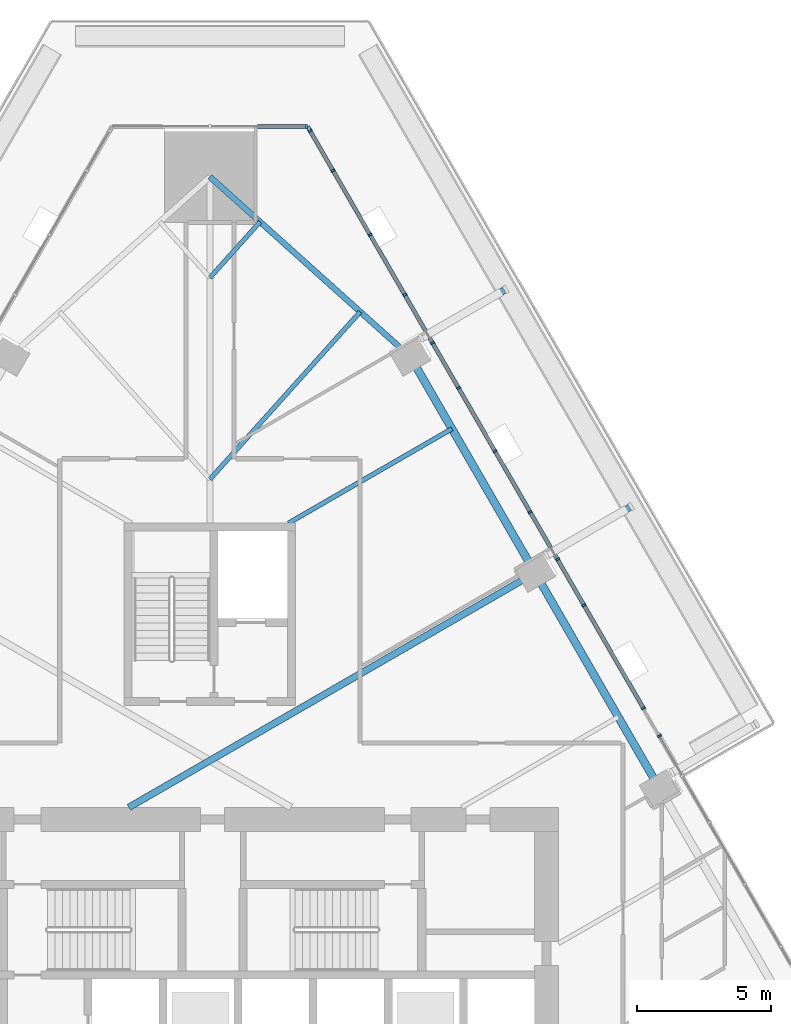
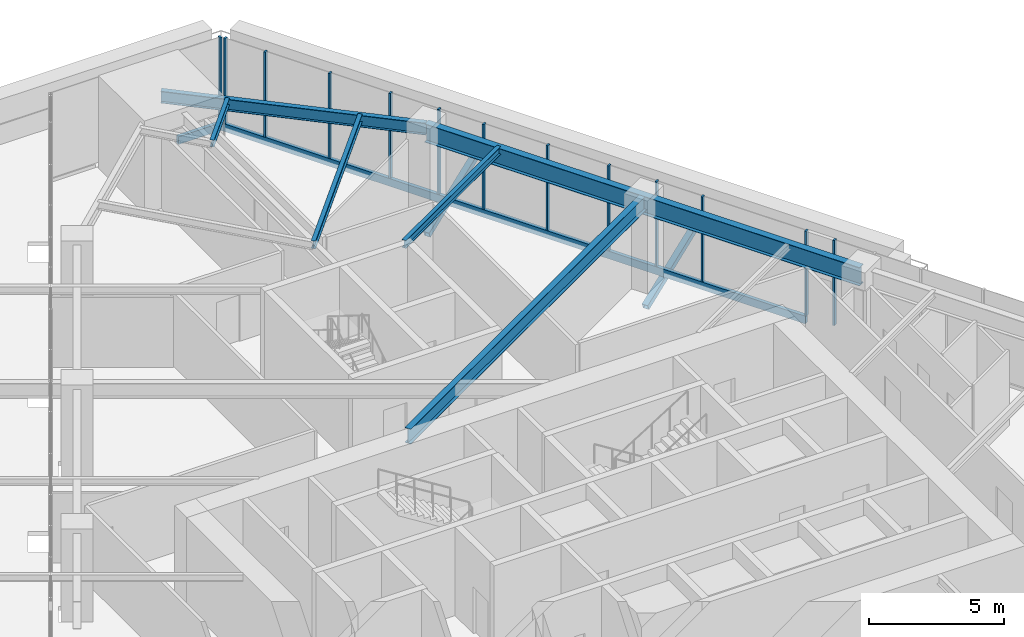
# One storey, part 9 of 26: 17 members, 6 beams, 2 elements without a shape of their own.
"""IFC4 building model written with IfcOpenShell, lengths in metres."""

from ifc_helpers import new_model, si_unit, direction, frame, origin, origin_2d, place, context, subcontext, project, spatial, rectangle, hollow_rectangle, i_section, extrude, material, layer, layer_set, material_profile, profile_set, type_object, element, aggregate, save


model = new_model("IFC4")

# Units and contexts
model_context = context("Model", 3, precision=1e-05, world=origin(), true_north=direction((0.0, 1.0)))
body_context = subcontext(model_context, "Body", "Model", "MODEL_VIEW")
ifc_project = project(units=[si_unit("LENGTHUNIT", "METRE"), si_unit("AREAUNIT", "SQUARE_METRE"), si_unit("VOLUMEUNIT", "CUBIC_METRE"), si_unit("PLANEANGLEUNIT", "RADIAN"), si_unit("MASSUNIT", "GRAM", prefix="KILO")], contexts=[model_context])

# Site, building, storey
site_placement = place(None, origin())
site = spatial("IfcSite", under=ifc_project, at=site_placement, CompositionType="ELEMENT")
building_placement = place(site_placement, origin())
building = spatial("IfcBuilding", under=site, at=building_placement, Name="Firuza Gate Tower and Library", CompositionType="ELEMENT")
storey_placement = place(building_placement, frame((0.0, 0.0, 115.60009765625)))
storey = spatial("IfcBuildingStorey", under=building, at=storey_placement, Name="L26", CompositionType="ELEMENT", Elevation=115.60009765625)

# Curtain wall, members
ifc_material_1 = material(Name="Aluminium 6063-T6", Category="aluminium")
ifc_layer_1 = layer(ifc_material_1, 0.14990234375)
ifc_layer_set_1 = layer_set([ifc_layer_1], Name="Unitised curtain wall, offices")
curtain_wall_type_1 = type_object("IfcCurtainWallType", Name="Unitised curtain wall, offices", PredefinedType="NOTDEFINED", material=ifc_layer_set_1)
placement = place(storey_placement, origin())
curtain_wall_1 = element("IfcCurtainWall", 1, at=placement, inside=storey, type_object=curtain_wall_type_1, Name="CW1 L26 E face", PredefinedType="NOTDEFINED")
ifc_material_2 = material(Name="Aluminium 6063-T6", Category="aluminium")
ifc_material_profile_1 = material_profile(ifc_material_2, rectangle(XDim=0.14990234375, YDim=0.080078125, at=origin_2d()))
ifc_profile_set_1 = profile_set([ifc_material_profile_1], Name="Aluminium 6063-T6")
member_type_1 = type_object("IfcMemberType", Name="Curtain wall mullion 80x150", PredefinedType="MULLION", material=ifc_profile_set_1)
member_1_placement = place(storey_placement, frame((91.762451171875, 86.663818359375, 0.14990234375), z_axis=(0.0, 0.0, 1.0), x_axis=(-0.866025403784, -0.5, 0.0)))
member_1 = element("IfcMember", 2, at=member_1_placement, type_object=member_type_1, Name="Mullion", PredefinedType="MULLION", context=body_context, shape_type="SweptSolid", body=[
    extrude(rectangle(XDim=0.14990234375, YDim=0.080078125, at=origin_2d()), origin(), (0.0, 0.0, 1.0), 3.85009765625),
])
member_2_placement = place(storey_placement, frame((91.16259765625, 87.703125, 0.14990234375), z_axis=(0.0, 0.0, 1.0), x_axis=(-0.866025403784, -0.5, 0.0)))
member_2 = element("IfcMember", 3, at=member_2_placement, type_object=member_type_1, Name="Mullion", PredefinedType="MULLION", context=body_context, shape_type="SweptSolid", body=[
    extrude(rectangle(XDim=0.14990234375, YDim=0.080078125, at=origin_2d()), origin(), (0.0, 0.0, 1.0), 3.85009765625),
])
member_3_placement = place(storey_placement, frame((87.962890625, 93.245361328125, 0.14990234375), z_axis=(0.0, 0.0, 1.0), x_axis=(-0.866025403784, -0.5, 0.0)))
member_3 = element("IfcMember", 4, at=member_3_placement, type_object=member_type_1, Name="Mullion", PredefinedType="MULLION", context=body_context, shape_type="SweptSolid", body=[
    extrude(rectangle(XDim=0.14990234375, YDim=0.080078125, at=origin_2d()), origin(), (0.0, 0.0, 1.0), 3.85009765625),
])
member_4_placement = place(storey_placement, frame((85.6328125, 97.28076171875, 0.14990234375), z_axis=(0.0, 0.0, 1.0), x_axis=(-0.866025403784, -0.5, 0.0)))
member_4 = element("IfcMember", 5, at=member_4_placement, type_object=member_type_1, Name="Mullion", PredefinedType="MULLION", context=body_context, shape_type="SweptSolid", body=[
    extrude(rectangle(XDim=0.14990234375, YDim=0.080078125, at=origin_2d()), origin(), (0.0, 0.0, 1.0), 3.85009765625),
])
member_5_placement = place(storey_placement, frame((83.302978515625, 101.316162109375, 0.14990234375), z_axis=(0.0, 0.0, 1.0), x_axis=(-0.866025403784, -0.5, 0.0)))
member_5 = element("IfcMember", 6, at=member_5_placement, type_object=member_type_1, Name="Mullion", PredefinedType="MULLION", context=body_context, shape_type="SweptSolid", body=[
    extrude(rectangle(XDim=0.14990234375, YDim=0.080078125, at=origin_2d()), origin(), (0.0, 0.0, 1.0), 3.85009765625),
])
member_6_placement = place(storey_placement, frame((80.97314453125, 105.3515625, 0.14990234375), z_axis=(0.0, 0.0, 1.0), x_axis=(-0.866025403784, -0.5, 0.0)))
member_6 = element("IfcMember", 7, at=member_6_placement, type_object=member_type_1, Name="Mullion", PredefinedType="MULLION", context=body_context, shape_type="SweptSolid", body=[
    extrude(rectangle(XDim=0.14990234375, YDim=0.080078125, at=origin_2d()), origin(), (0.0, 0.0, 1.0), 3.85009765625),
])
member_7_placement = place(storey_placement, frame((88.947509765625, 91.53955078125, 0.14990234375), z_axis=(0.0, 0.0, 1.0), x_axis=(-0.866025403784, -0.5, 0.0)))
member_7 = element("IfcMember", 8, at=member_7_placement, type_object=member_type_1, Name="Mullion", PredefinedType="MULLION", context=body_context, shape_type="SweptSolid", body=[
    extrude(rectangle(XDim=0.14990234375, YDim=0.080078125, at=origin_2d()), origin(), (0.0, 0.0, 1.0), 3.85009765625),
])
member_8_placement = place(storey_placement, frame((86.943359375, 95.01123046875, 0.14990234375), z_axis=(0.0, 0.0, 1.0), x_axis=(-0.866025403784, -0.5, 0.0)))
member_8 = element("IfcMember", 9, at=member_8_placement, type_object=member_type_1, Name="Mullion", PredefinedType="MULLION", context=body_context, shape_type="SweptSolid", body=[
    extrude(rectangle(XDim=0.14990234375, YDim=0.080078125, at=origin_2d()), origin(), (0.0, 0.0, 1.0), 3.85009765625),
])
member_9_placement = place(storey_placement, frame((84.2705078125, 99.640625, 0.14990234375), z_axis=(0.0, 0.0, 1.0), x_axis=(-0.866025403784, -0.5, 0.0)))
member_9 = element("IfcMember", 10, at=member_9_placement, type_object=member_type_1, Name="Mullion", PredefinedType="MULLION", context=body_context, shape_type="SweptSolid", body=[
    extrude(rectangle(XDim=0.14990234375, YDim=0.080078125, at=origin_2d()), origin(), (0.0, 0.0, 1.0), 3.85009765625),
])
member_10_placement = place(storey_placement, frame((82.26611328125, 103.112060546875, 0.14990234375), z_axis=(0.0, 0.0, 1.0), x_axis=(-0.866025403784, -0.5, 0.0)))
member_10 = element("IfcMember", 11, at=member_10_placement, type_object=member_type_1, Name="Mullion", PredefinedType="MULLION", context=body_context, shape_type="SweptSolid", body=[
    extrude(rectangle(XDim=0.14990234375, YDim=0.080078125, at=origin_2d()), origin(), (0.0, 0.0, 1.0), 3.85009765625),
])
member_11_placement = place(storey_placement, frame((79.59326171875, 107.741455078125, 0.14990234375), z_axis=(0.0, 0.0, 1.0), x_axis=(-0.866025403784, -0.5, 0.0)))
member_11 = element("IfcMember", 12, at=member_11_placement, type_object=member_type_1, Name="Mullion", PredefinedType="MULLION", context=body_context, shape_type="SweptSolid", body=[
    extrude(rectangle(XDim=0.14990234375, YDim=0.080078125, at=origin_2d()), origin(), (0.0, 0.0, 1.0), 3.85009765625),
])
member_12_placement = place(storey_placement, frame((78.735107421875, 109.22802734375, 0.14990234375), z_axis=(0.0, 0.0, 1.0), x_axis=(-0.866025403784, -0.5, 0.0)))
member_12 = element("IfcMember", 13, at=member_12_placement, type_object=member_type_1, Name="Mullion", PredefinedType="MULLION", context=body_context, shape_type="SweptSolid", body=[
    extrude(rectangle(XDim=0.14990234375, YDim=0.080078125, at=origin_2d()), origin(), (0.0, 0.0, 1.0), 3.85009765625),
])

# Curtain wall, member
ifc_material_3 = material(Name="Aluminium 6063-T6", Category="aluminium")
ifc_layer_2 = layer(ifc_material_3, 0.14990234375)
ifc_layer_set_2 = layer_set([ifc_layer_2], Name="Corner curtain wall, chamfers")
curtain_wall_type_2 = type_object("IfcCurtainWallType", Name="Corner curtain wall, chamfers", PredefinedType="NOTDEFINED", material=ifc_layer_set_2)
curtain_wall_2 = element("IfcCurtainWall", 14, at=placement, inside=storey, type_object=curtain_wall_type_2, Name="CW4 L26 N corner", PredefinedType="NOTDEFINED")
member_13_placement = place(storey_placement, frame((78.603271484375, 109.38720703125, 0.14990234375), z_axis=(0.0, 0.0, 1.0), x_axis=(0.0, -1.0, 0.0)))
member_13 = element("IfcMember", 15, at=member_13_placement, type_object=member_type_1, Name="Mullion", PredefinedType="MULLION", context=body_context, shape_type="SweptSolid", body=[
    extrude(rectangle(XDim=0.14990234375, YDim=0.080078125, at=origin_2d()), origin(), (0.0, 0.0, 1.0), 3.85009765625),
])

# Member
ifc_material_4 = material(Name="Aluminium 6063-T6", Category="aluminium")
ifc_material_profile_2 = material_profile(ifc_material_4, rectangle(XDim=0.14990234375, YDim=0.35009765625, at=origin_2d()))
ifc_profile_set_2 = profile_set([ifc_material_profile_2], Name="Aluminium 6063-T6")
member_type_2 = type_object("IfcMemberType", Name="Curtain wall transom 350x150", PredefinedType="USERDEFINED", material=ifc_profile_set_2)
member_14_placement = place(storey_placement, frame((91.16259765625, 87.703125, -0.025146484375), z_axis=(-0.499999296431, 0.86602580999, 0.0), x_axis=(-0.86602580999, -0.499999296431, 0.0)))
member_14 = element("IfcMember", 16, at=member_14_placement, type_object=member_type_2, Name="Transom", ObjectType="TRANSOM", PredefinedType="USERDEFINED", context=body_context, shape_type="SweptSolid", body=[
    extrude(rectangle(XDim=0.14990234375, YDim=0.35009765625, at=origin_2d()), origin(), (0.0, 0.0, 1.0), 25.03857421875),
])

aggregate(curtain_wall_1, [member_1, member_2, member_3, member_4, member_5, member_6, member_14, member_7, member_8, member_9, member_10, member_11, member_12])

member_15_placement = place(storey_placement, frame((78.643310546875, 109.38720703125, -0.025146484375), z_axis=(-1.0, 0.0, 0.0), x_axis=(0.0, -1.0, 0.0)))
member_15 = element("IfcMember", 17, at=member_15_placement, type_object=member_type_2, Name="Transom", ObjectType="TRANSOM", PredefinedType="USERDEFINED", context=body_context, shape_type="SweptSolid", body=[
    extrude(rectangle(XDim=0.14990234375, YDim=0.35009765625, at=origin_2d()), origin(), (0.0, 0.0, 1.0), 1.863525390625),
])

aggregate(curtain_wall_2, [member_13, member_15])

# Members
ifc_material_5 = material(Name="Steel S355", Category="steel")
ifc_material_profile_3 = material_profile(ifc_material_5, hollow_rectangle(XDim=0.25390625, YDim=0.25390625, WallThickness=0.01171875, at=origin_2d()))
ifc_profile_set_3 = profile_set([ifc_material_profile_3], Name="Steel S355")
member_type_3 = type_object("IfcMemberType", Name="HSS254x254x13 Tray strut", PredefinedType="BRACE", material=ifc_profile_set_3)
for number, where, z_axis, x_axis, name in (
    (18, (87.57470703125, 93.40771484375, -1.670166015625), (0.807122458648, 0.466007352202, 0.362478253747), (-0.500012057535, 0.866018442252, 0.0), "Tray strut L26 col:L25:E4"),
    (19, (82.897705078125, 101.5087890625, -1.670166015625), (0.807122458648, 0.466007352202, 0.362478253747), (-0.500012057535, 0.866018442252, 0.0), "Tray strut L26 col:L25:E5"),
):
    element("IfcMember", number, at=place(storey_placement, frame(where, z_axis=z_axis, x_axis=x_axis)), inside=storey, type_object=member_type_3, Name=name, PredefinedType="BRACE", context=body_context, shape_type="SweptSolid", body=[
        extrude(hollow_rectangle(XDim=0.25390625, YDim=0.25390625, WallThickness=0.01171875, at=origin_2d()), origin(), (0.0, 0.0, 1.0), 3.86279296875),
    ])

# Beams
ifc_material_6 = material(Name="Steel S355", Category="steel")
ifc_material_profile_4 = material_profile(ifc_material_6, i_section(OverallWidth=0.1650390625, OverallDepth=0.31005859375, WebThickness=0.005859375, FlangeThickness=0.009765625, at=origin_2d()))
ifc_profile_set_4 = profile_set([ifc_material_profile_4], Name="Steel S355")
beam_type_1 = type_object("IfcBeamType", Name="W310x39 Floor beam", PredefinedType="JOIST", material=ifc_profile_set_4)
beam_1_placement = place(storey_placement, frame((76.8681640625, 105.8349609375, 3.844970703125), z_axis=(-0.667975448269, -0.744183311094, 0.0), x_axis=(0.744183311094, -0.667975448269, 0.0)))
element("IfcBeam", 20, at=beam_1_placement, inside=storey, type_object=beam_type_1, Name="Floor beam L26 s61", PredefinedType="JOIST", context=body_context, shape_type="SweptSolid", body=[
    extrude(i_section(OverallWidth=0.1650390625, OverallDepth=0.31005859375, WebThickness=0.005859375, FlangeThickness=0.009765625, at=origin_2d()), origin(), (0.0, 0.0, 1.0), 2.796875),
])
ifc_material_7 = material(Name="Steel S355", Category="steel")
ifc_material_profile_5 = material_profile(ifc_material_7, i_section(OverallWidth=0.1708984375, OverallDepth=0.35498046875, WebThickness=0.007080078125, FlangeThickness=0.01171875, at=origin_2d()))
ifc_profile_set_5 = profile_set([ifc_material_profile_5], Name="Steel S355")
beam_type_2 = type_object("IfcBeamType", Name="W360x51 Floor beam", PredefinedType="JOIST", material=ifc_profile_set_5)
beam_2_placement = place(storey_placement, frame((84.02392578125, 98.11767578125, 3.822509765625), z_axis=(-0.866022037233, -0.500005830994, 0.0), x_axis=(0.500005830994, -0.866022037233, 0.0)))
element("IfcBeam", 21, at=beam_2_placement, inside=storey, type_object=beam_type_2, Name="Floor beam L26 s55", PredefinedType="JOIST", context=body_context, shape_type="SweptSolid", body=[
    extrude(i_section(OverallWidth=0.1708984375, OverallDepth=0.35498046875, WebThickness=0.007080078125, FlangeThickness=0.01171875, at=origin_2d()), origin(), (0.0, 0.0, 1.0), 7.03515625),
])
beam_3_placement = place(storey_placement, frame((80.604736328125, 102.480712890625, 3.822509765625), z_axis=(-0.668006027086, -0.744155862556, 0.0), x_axis=(0.744155862556, -0.668006027086, 0.0)))
element("IfcBeam", 22, at=beam_3_placement, inside=storey, type_object=beam_type_2, Name="Floor beam L26 s60", PredefinedType="JOIST", context=body_context, shape_type="SweptSolid", body=[
    extrude(i_section(OverallWidth=0.1708984375, OverallDepth=0.35498046875, WebThickness=0.007080078125, FlangeThickness=0.01171875, at=origin_2d()), origin(), (0.0, 0.0, 1.0), 8.39013671875),
])
ifc_material_8 = material(Name="Steel S355", Category="steel")
ifc_material_profile_6 = material_profile(ifc_material_8, i_section(OverallWidth=0.212890625, OverallDepth=0.5390625, WebThickness=0.01171875, FlangeThickness=0.018798828125, at=origin_2d()))
ifc_profile_set_6 = profile_set([ifc_material_profile_6], Name="Steel S355")
beam_type_3 = type_object("IfcBeamType", Name="W530x109 Edge beam", PredefinedType="SPANDREL", material=ifc_profile_set_6)
beam_4_placement = place(storey_placement, frame((82.47314453125, 100.8037109375, 3.73046875), z_axis=(-0.744151797704, 0.668010555286, 0.0), x_axis=(-0.668010555286, -0.744151797704, 0.0)))
element("IfcBeam", 23, at=beam_4_placement, inside=storey, type_object=beam_type_3, Name="Edge beam L26 e60", PredefinedType="SPANDREL", context=body_context, shape_type="SweptSolid", body=[
    extrude(i_section(OverallWidth=0.212890625, OverallDepth=0.5390625, WebThickness=0.01171875, FlangeThickness=0.018798828125, at=origin_2d()), origin(), (0.0, 0.0, 1.0), 10.04248046875),
])
ifc_material_9 = material(Name="Steel S355", Category="steel")
ifc_material_profile_7 = material_profile(ifc_material_9, i_section(OverallWidth=0.2529296875, OverallDepth=0.677978515625, WebThickness=0.01171875, FlangeThickness=0.016357421875, at=origin_2d()))
ifc_profile_set_7 = profile_set([ifc_material_profile_7], Name="Steel S355")
beam_type_4 = type_object("IfcBeamType", Name="W690x125 Floor beam", PredefinedType="JOIST", material=ifc_profile_set_7)
beam_5_placement = place(storey_placement, frame((87.125732421875, 92.745361328125, 3.660888671875), z_axis=(-0.86602612969, -0.499998742693, 0.0), x_axis=(0.499998742693, -0.86602612969, 0.0)))
element("IfcBeam", 24, at=beam_5_placement, inside=storey, type_object=beam_type_4, Name="Floor beam L26 s54", PredefinedType="JOIST", context=body_context, shape_type="SweptSolid", body=[
    extrude(i_section(OverallWidth=0.2529296875, OverallDepth=0.677978515625, WebThickness=0.01171875, FlangeThickness=0.016357421875, at=origin_2d()), origin(), (0.0, 0.0, 1.0), 17.49072265625),
])
ifc_material_10 = material(Name="Steel S355", Category="steel")
ifc_material_profile_8 = material_profile(ifc_material_10, i_section(OverallWidth=0.2919921875, OverallDepth=0.8349609375, WebThickness=0.013916015625, FlangeThickness=0.018798828125, at=origin_2d()))
ifc_profile_set_8 = profile_set([ifc_material_profile_8], Name="Steel S355")
beam_type_5 = type_object("IfcBeamType", Name="W840x176 Edge beam", PredefinedType="SPANDREL", material=ifc_profile_set_8)
beam_6_placement = place(storey_placement, frame((91.778076171875, 84.686767578125, 3.58251953125), z_axis=(-0.499992345027, 0.86602982334, 0.0), x_axis=(-0.86602982334, -0.499992345027, 0.0)))
element("IfcBeam", 25, at=beam_6_placement, inside=storey, type_object=beam_type_5, Name="Edge beam L26 e52", PredefinedType="SPANDREL", context=body_context, shape_type="SweptSolid", body=[
    extrude(i_section(OverallWidth=0.2919921875, OverallDepth=0.8349609375, WebThickness=0.013916015625, FlangeThickness=0.018798828125, at=origin_2d()), origin(), (0.0, 0.0, 1.0), 18.610107421875),
])

save(model, "model.ifc")
